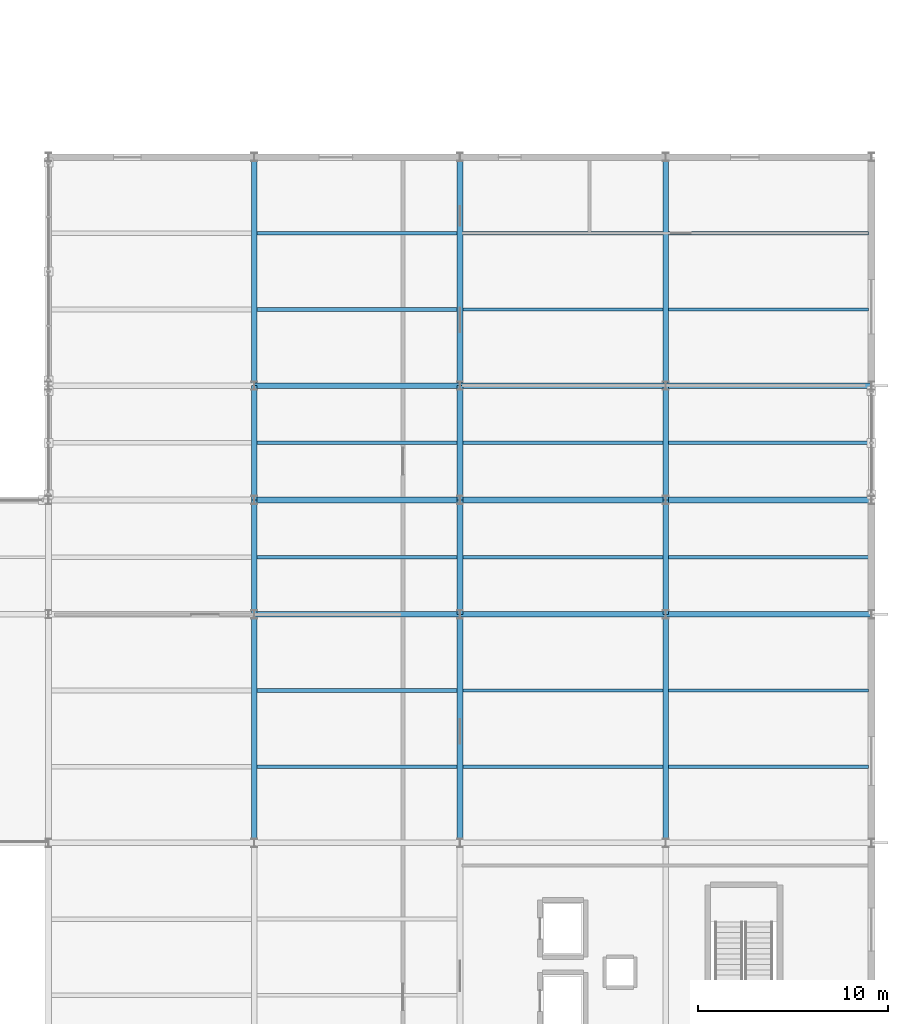
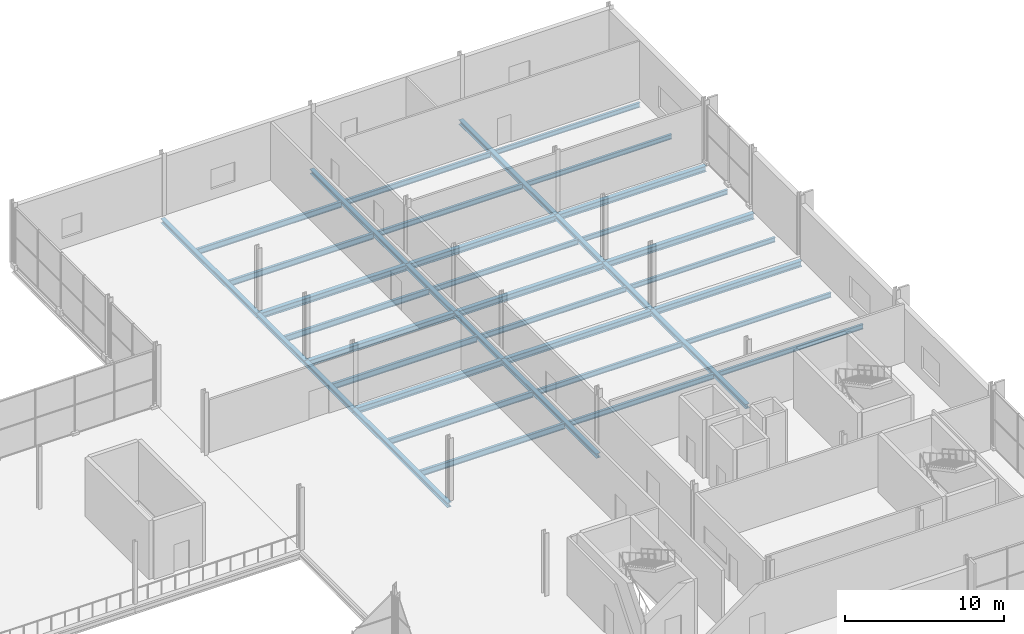
# One storey, part 115 of 159: 39 beams.
"""IFC4 building model written with IfcOpenShell, lengths in metres."""

from ifc_helpers import new_model, si_unit, direction, frame, origin, origin_2d, place, context, subcontext, project, spatial, i_section, extrude, material, material_profile, profile_set, type_object, element, save


model = new_model("IFC4")

# Units and contexts
model_context = context("Model", 3, precision=1e-05, world=origin(), true_north=direction((0.0, 1.0)))
body_context = subcontext(model_context, "Body", "Model", "MODEL_VIEW")
ifc_project = project(units=[si_unit("LENGTHUNIT", "METRE"), si_unit("AREAUNIT", "SQUARE_METRE"), si_unit("VOLUMEUNIT", "CUBIC_METRE"), si_unit("PLANEANGLEUNIT", "RADIAN"), si_unit("MASSUNIT", "GRAM", prefix="KILO")], contexts=[model_context])

# Site, building, storey
site_placement = place(None, origin())
site = spatial("IfcSite", under=ifc_project, at=site_placement, CompositionType="ELEMENT")
building_placement = place(site_placement, origin())
building = spatial("IfcBuilding", under=site, at=building_placement, Name="Merenkruunu Market Hall", CompositionType="ELEMENT")
storey_placement = place(building_placement, frame((0.0, 0.0, 5.39990234375)))
storey = spatial("IfcBuildingStorey", under=building, at=storey_placement, Name="L01", CompositionType="ELEMENT", Elevation=5.39990234375)

# Beams
ifc_material = material(Name="Steel S355J2", Category="steel")
ifc_material_profile_1 = material_profile(ifc_material, i_section(OverallWidth=0.300048828125, OverallDepth=0.449951171875, WebThickness=0.013916015625, FlangeThickness=0.02587890625, FilletRadius=0.027099609375, at=origin_2d()), Name="HEB 450")
ifc_profile_set_1 = profile_set([ifc_material_profile_1], Name="Steel S355J2")
beam_type_1 = type_object("IfcBeamType", Name="Primary Floor Girder B03", PredefinedType="BEAM", material=ifc_profile_set_1)
beam_1_placement = place(storey_placement, frame((159.60009765625, 39.60009765625, -0.5048828125), z_axis=(1.0, 0.0, 0.0), x_axis=(0.0, 1.0, 0.0)))
element("IfcBeam", 1, at=beam_1_placement, inside=storey, type_object=beam_type_1, Name="BM-L01-B03-0504", PredefinedType="BEAM", context=body_context, shape_type="SweptSolid", body=[
    extrude(i_section(OverallWidth=0.300048828125, OverallDepth=0.449951171875, WebThickness=0.013916015625, FlangeThickness=0.02587890625, FilletRadius=0.027099609375, at=origin_2d()), origin(), (0.0, 0.0, 1.0), 10.7998046875),
])
for number, where, z_axis, x_axis, name in (
    (2, (170.39990234375, 39.60009765625, -0.5048828125), (1.0, 0.0, 0.0), (0.0, 1.0, 0.0), "BM-L01-B03-0505"),
    (3, (181.199951171875, 39.60009765625, -0.5048828125), (1.0, 0.0, 0.0), (0.0, 1.0, 0.0), "BM-L01-B03-0506"),
):
    element("IfcBeam", number, at=place(storey_placement, frame(where, z_axis=z_axis, x_axis=x_axis)), inside=storey, type_object=beam_type_1, Name=name, PredefinedType="BEAM", context=body_context, shape_type="SweptSolid", body=[
        extrude(i_section(OverallWidth=0.300048828125, OverallDepth=0.449951171875, WebThickness=0.013916015625, FlangeThickness=0.02587890625, FilletRadius=0.027099609375, at=origin_2d()), origin(), (0.0, 0.0, 1.0), 10.800048828125),
    ])
beam_2_placement = place(storey_placement, frame((159.60009765625, 45.60009765625, -0.5048828125), z_axis=(1.0, 0.0, 0.0), x_axis=(0.0, 1.0, 0.0)))
element("IfcBeam", 4, at=beam_2_placement, inside=storey, type_object=beam_type_1, Name="BM-L01-B03-0516", PredefinedType="BEAM", context=body_context, shape_type="SweptSolid", body=[
    extrude(i_section(OverallWidth=0.300048828125, OverallDepth=0.449951171875, WebThickness=0.013916015625, FlangeThickness=0.02587890625, FilletRadius=0.027099609375, at=origin_2d()), origin(), (0.0, 0.0, 1.0), 10.7998046875),
])
for number, where, z_axis, x_axis, name in (
    (5, (170.39990234375, 45.60009765625, -0.5048828125), (1.0, 0.0, 0.0), (0.0, 1.0, 0.0), "BM-L01-B03-0517"),
    (6, (181.199951171875, 45.60009765625, -0.5048828125), (1.0, 0.0, 0.0), (0.0, 1.0, 0.0), "BM-L01-B03-0518"),
):
    element("IfcBeam", number, at=place(storey_placement, frame(where, z_axis=z_axis, x_axis=x_axis)), inside=storey, type_object=beam_type_1, Name=name, PredefinedType="BEAM", context=body_context, shape_type="SweptSolid", body=[
        extrude(i_section(OverallWidth=0.300048828125, OverallDepth=0.449951171875, WebThickness=0.013916015625, FlangeThickness=0.02587890625, FilletRadius=0.027099609375, at=origin_2d()), origin(), (0.0, 0.0, 1.0), 10.800048828125),
    ])
beam_3_placement = place(storey_placement, frame((159.60009765625, 51.60009765625, -0.5048828125), z_axis=(1.0, 0.0, 0.0), x_axis=(0.0, 1.0, 0.0)))
element("IfcBeam", 7, at=beam_3_placement, inside=storey, type_object=beam_type_1, Name="BM-L01-B03-0523", PredefinedType="BEAM", context=body_context, shape_type="SweptSolid", body=[
    extrude(i_section(OverallWidth=0.300048828125, OverallDepth=0.449951171875, WebThickness=0.013916015625, FlangeThickness=0.02587890625, FilletRadius=0.027099609375, at=origin_2d()), origin(), (0.0, 0.0, 1.0), 10.7998046875),
])
for number, where, z_axis, x_axis, name in (
    (8, (170.39990234375, 51.60009765625, -0.5048828125), (1.0, 0.0, 0.0), (0.0, 1.0, 0.0), "BM-L01-B03-0524"),
    (9, (181.199951171875, 51.60009765625, -0.5048828125), (1.0, 0.0, 0.0), (0.0, 1.0, 0.0), "BM-L01-B03-0525"),
):
    element("IfcBeam", number, at=place(storey_placement, frame(where, z_axis=z_axis, x_axis=x_axis)), inside=storey, type_object=beam_type_1, Name=name, PredefinedType="BEAM", context=body_context, shape_type="SweptSolid", body=[
        extrude(i_section(OverallWidth=0.300048828125, OverallDepth=0.449951171875, WebThickness=0.013916015625, FlangeThickness=0.02587890625, FilletRadius=0.027099609375, at=origin_2d()), origin(), (0.0, 0.0, 1.0), 10.800048828125),
    ])
ifc_material_profile_2 = material_profile(ifc_material, i_section(OverallWidth=0.300048828125, OverallDepth=0.35009765625, WebThickness=0.010009765625, FlangeThickness=0.017578125, FilletRadius=0.027099609375, at=origin_2d()), Name="HEA 360")
ifc_profile_set_2 = profile_set([ifc_material_profile_2], Name="Steel S355J2")
beam_type_2 = type_object("IfcBeamType", Name="Primary Floor Girder B08", PredefinedType="BEAM", material=ifc_profile_set_2)
beam_4_placement = place(storey_placement, frame((159.60009765625, 27.60009765625, -0.454833984375), z_axis=(0.0, 1.0, 0.0), x_axis=(-1.0, 0.0, 0.0)))
element("IfcBeam", 10, at=beam_4_placement, inside=storey, type_object=beam_type_2, Name="BM-L01-B08-0625", PredefinedType="BEAM", context=body_context, shape_type="SweptSolid", body=[
    extrude(i_section(OverallWidth=0.300048828125, OverallDepth=0.35009765625, WebThickness=0.010009765625, FlangeThickness=0.017578125, FilletRadius=0.027099609375, at=origin_2d()), origin(), (0.0, 0.0, 1.0), 12.0),
])
for number, where, z_axis, x_axis, name in (
    (11, (159.60009765625, 39.60009765625, -0.454833984375), (0.0, 1.0, 0.0), (-1.0, 0.0, 0.0), "BM-L01-B08-0626"),
    (12, (159.60009765625, 45.60009765625, -0.454833984375), (0.0, 1.0, 0.0), (-1.0, 0.0, 0.0), "BM-L01-B08-0627"),
):
    element("IfcBeam", number, at=place(storey_placement, frame(where, z_axis=z_axis, x_axis=x_axis)), inside=storey, type_object=beam_type_2, Name=name, PredefinedType="BEAM", context=body_context, shape_type="SweptSolid", body=[
        extrude(i_section(OverallWidth=0.300048828125, OverallDepth=0.35009765625, WebThickness=0.010009765625, FlangeThickness=0.017578125, FilletRadius=0.027099609375, at=origin_2d()), origin(), (0.0, 0.0, 1.0), 6.0),
    ])
for number, where, z_axis, x_axis, name in (
    (13, (159.60009765625, 51.60009765625, -0.454833984375), (0.0, 1.0, 0.0), (-1.0, 0.0, 0.0), "BM-L01-B08-0628"),
    (14, (170.39990234375, 27.60009765625, -0.454833984375), (0.0, 1.0, 0.0), (-1.0, 0.0, 0.0), "BM-L01-B08-0632"),
):
    element("IfcBeam", number, at=place(storey_placement, frame(where, z_axis=z_axis, x_axis=x_axis)), inside=storey, type_object=beam_type_2, Name=name, PredefinedType="BEAM", context=body_context, shape_type="SweptSolid", body=[
        extrude(i_section(OverallWidth=0.300048828125, OverallDepth=0.35009765625, WebThickness=0.010009765625, FlangeThickness=0.017578125, FilletRadius=0.027099609375, at=origin_2d()), origin(), (0.0, 0.0, 1.0), 12.0),
    ])
for number, where, z_axis, x_axis, name in (
    (15, (170.39990234375, 39.60009765625, -0.454833984375), (0.0, 1.0, 0.0), (-1.0, 0.0, 0.0), "BM-L01-B08-0633"),
    (16, (170.39990234375, 45.60009765625, -0.454833984375), (0.0, 1.0, 0.0), (-1.0, 0.0, 0.0), "BM-L01-B08-0634"),
):
    element("IfcBeam", number, at=place(storey_placement, frame(where, z_axis=z_axis, x_axis=x_axis)), inside=storey, type_object=beam_type_2, Name=name, PredefinedType="BEAM", context=body_context, shape_type="SweptSolid", body=[
        extrude(i_section(OverallWidth=0.300048828125, OverallDepth=0.35009765625, WebThickness=0.010009765625, FlangeThickness=0.017578125, FilletRadius=0.027099609375, at=origin_2d()), origin(), (0.0, 0.0, 1.0), 6.0),
    ])
for number, where, z_axis, x_axis, name in (
    (17, (170.39990234375, 51.60009765625, -0.454833984375), (0.0, 1.0, 0.0), (-1.0, 0.0, 0.0), "BM-L01-B08-0635"),
    (18, (181.199951171875, 27.60009765625, -0.454833984375), (0.0, 1.0, 0.0), (-1.0, 0.0, 0.0), "BM-L01-B08-0639"),
):
    element("IfcBeam", number, at=place(storey_placement, frame(where, z_axis=z_axis, x_axis=x_axis)), inside=storey, type_object=beam_type_2, Name=name, PredefinedType="BEAM", context=body_context, shape_type="SweptSolid", body=[
        extrude(i_section(OverallWidth=0.300048828125, OverallDepth=0.35009765625, WebThickness=0.010009765625, FlangeThickness=0.017578125, FilletRadius=0.027099609375, at=origin_2d()), origin(), (0.0, 0.0, 1.0), 12.0),
    ])
for number, where, z_axis, x_axis, name in (
    (19, (181.199951171875, 39.60009765625, -0.454833984375), (0.0, 1.0, 0.0), (-1.0, 0.0, 0.0), "BM-L01-B08-0640"),
    (20, (181.199951171875, 45.60009765625, -0.454833984375), (0.0, 1.0, 0.0), (-1.0, 0.0, 0.0), "BM-L01-B08-0641"),
):
    element("IfcBeam", number, at=place(storey_placement, frame(where, z_axis=z_axis, x_axis=x_axis)), inside=storey, type_object=beam_type_2, Name=name, PredefinedType="BEAM", context=body_context, shape_type="SweptSolid", body=[
        extrude(i_section(OverallWidth=0.300048828125, OverallDepth=0.35009765625, WebThickness=0.010009765625, FlangeThickness=0.017578125, FilletRadius=0.027099609375, at=origin_2d()), origin(), (0.0, 0.0, 1.0), 6.0),
    ])
beam_5_placement = place(storey_placement, frame((181.199951171875, 51.60009765625, -0.454833984375), z_axis=(0.0, 1.0, 0.0), x_axis=(-1.0, 0.0, 0.0)))
element("IfcBeam", 21, at=beam_5_placement, inside=storey, type_object=beam_type_2, Name="BM-L01-B08-0642", PredefinedType="BEAM", context=body_context, shape_type="SweptSolid", body=[
    extrude(i_section(OverallWidth=0.300048828125, OverallDepth=0.35009765625, WebThickness=0.010009765625, FlangeThickness=0.017578125, FilletRadius=0.027099609375, at=origin_2d()), origin(), (0.0, 0.0, 1.0), 12.0),
])
ifc_material_profile_3 = material_profile(ifc_material, i_section(OverallWidth=0.18994140625, OverallDepth=0.449951171875, WebThickness=0.009521484375, FlangeThickness=0.0146484375, FilletRadius=0.02099609375, at=origin_2d()), Name="IPE 450")
ifc_profile_set_3 = profile_set([ifc_material_profile_3], Name="Steel S355J2")
beam_type_3 = type_object("IfcBeamType", Name="Secondary Floor Joist J01", PredefinedType="JOIST", material=ifc_profile_set_3)
for number, where, z_axis, x_axis, name in (
    (22, (159.7529296875, 31.60009765625, -0.5048828125), (1.0, 0.0, 0.0), (0.0, 1.0, 0.0), "BM-L01-J01-0714"),
    (23, (159.7529296875, 35.60009765625, -0.5048828125), (1.0, 0.0, 0.0), (0.0, 1.0, 0.0), "BM-L01-J01-0715"),
    (24, (159.7529296875, 42.60009765625, -0.5048828125), (1.0, 0.0, 0.0), (0.0, 1.0, 0.0), "BM-L01-J01-0716"),
    (25, (159.7529296875, 48.60009765625, -0.5048828125), (1.0, 0.0, 0.0), (0.0, 1.0, 0.0), "BM-L01-J01-0717"),
    (26, (159.7529296875, 55.60009765625, -0.5048828125), (1.0, 0.0, 0.0), (0.0, 1.0, 0.0), "BM-L01-J01-0718"),
    (27, (159.7529296875, 59.60009765625, -0.5048828125), (1.0, 0.0, 0.0), (0.0, 1.0, 0.0), "BM-L01-J01-0719"),
):
    element("IfcBeam", number, at=place(storey_placement, frame(where, z_axis=z_axis, x_axis=x_axis)), inside=storey, type_object=beam_type_3, Name=name, PredefinedType="JOIST", context=body_context, shape_type="SweptSolid", body=[
        extrude(i_section(OverallWidth=0.18994140625, OverallDepth=0.449951171875, WebThickness=0.009521484375, FlangeThickness=0.0146484375, FilletRadius=0.02099609375, at=origin_2d()), origin(), (0.0, 0.0, 1.0), 10.494140625),
    ])
ifc_material_profile_4 = material_profile(ifc_material, i_section(OverallWidth=0.179931640625, OverallDepth=0.39990234375, WebThickness=0.008544921875, FlangeThickness=0.013427734375, FilletRadius=0.02099609375, at=origin_2d()), Name="IPE 400")
ifc_profile_set_4 = profile_set([ifc_material_profile_4], Name="Steel S355J2")
beam_type_4 = type_object("IfcBeamType", Name="Secondary Floor Joist J02", PredefinedType="JOIST", material=ifc_profile_set_4)
for number, where, z_axis, x_axis, name in (
    (28, (170.552978515625, 31.60009765625, -0.47998046875), (1.0, 0.0, 0.0), (0.0, 1.0, 0.0), "BM-L01-J02-0723"),
    (29, (170.552978515625, 35.60009765625, -0.47998046875), (1.0, 0.0, 0.0), (0.0, 1.0, 0.0), "BM-L01-J02-0724"),
    (30, (170.552978515625, 42.60009765625, -0.47998046875), (1.0, 0.0, 0.0), (0.0, 1.0, 0.0), "BM-L01-J02-0725"),
    (31, (170.552978515625, 48.60009765625, -0.47998046875), (1.0, 0.0, 0.0), (0.0, 1.0, 0.0), "BM-L01-J02-0726"),
    (32, (170.552978515625, 55.60009765625, -0.47998046875), (1.0, 0.0, 0.0), (0.0, 1.0, 0.0), "BM-L01-J02-0727"),
    (33, (170.552978515625, 59.60009765625, -0.47998046875), (1.0, 0.0, 0.0), (0.0, 1.0, 0.0), "BM-L01-J02-0728"),
):
    element("IfcBeam", number, at=place(storey_placement, frame(where, z_axis=z_axis, x_axis=x_axis)), inside=storey, type_object=beam_type_4, Name=name, PredefinedType="JOIST", context=body_context, shape_type="SweptSolid", body=[
        extrude(i_section(OverallWidth=0.179931640625, OverallDepth=0.39990234375, WebThickness=0.008544921875, FlangeThickness=0.013427734375, FilletRadius=0.02099609375, at=origin_2d()), origin(), (0.0, 0.0, 1.0), 10.494140625),
    ])
ifc_material_profile_5 = material_profile(ifc_material, i_section(OverallWidth=0.169921875, OverallDepth=0.360107421875, WebThickness=0.008056640625, FlangeThickness=0.0126953125, FilletRadius=0.01806640625, at=origin_2d()), Name="IPE 360")
ifc_profile_set_5 = profile_set([ifc_material_profile_5], Name="Steel S355J2")
beam_type_5 = type_object("IfcBeamType", Name="Secondary Floor Joist J03", PredefinedType="JOIST", material=ifc_profile_set_5)
for number, where, z_axis, x_axis, name in (
    (34, (181.35302734375, 31.60009765625, -0.4599609375), (1.0, 0.0, 0.0), (0.0, 1.0, 0.0), "BM-L01-J03-0730"),
    (35, (181.35302734375, 35.60009765625, -0.4599609375), (1.0, 0.0, 0.0), (0.0, 1.0, 0.0), "BM-L01-J03-0731"),
    (36, (181.35302734375, 42.60009765625, -0.4599609375), (1.0, 0.0, 0.0), (0.0, 1.0, 0.0), "BM-L01-J03-0732"),
    (37, (181.35302734375, 48.60009765625, -0.4599609375), (1.0, 0.0, 0.0), (0.0, 1.0, 0.0), "BM-L01-J03-0733"),
    (38, (181.35302734375, 55.60009765625, -0.4599609375), (1.0, 0.0, 0.0), (0.0, 1.0, 0.0), "BM-L01-J03-0734"),
    (39, (181.35302734375, 59.60009765625, -0.4599609375), (1.0, 0.0, 0.0), (0.0, 1.0, 0.0), "BM-L01-J03-0735"),
):
    element("IfcBeam", number, at=place(storey_placement, frame(where, z_axis=z_axis, x_axis=x_axis)), inside=storey, type_object=beam_type_5, Name=name, PredefinedType="JOIST", context=body_context, shape_type="SweptSolid", body=[
        extrude(i_section(OverallWidth=0.169921875, OverallDepth=0.360107421875, WebThickness=0.008056640625, FlangeThickness=0.0126953125, FilletRadius=0.01806640625, at=origin_2d()), origin(), (0.0, 0.0, 1.0), 10.493896484375),
    ])

save(model, "model.ifc")
